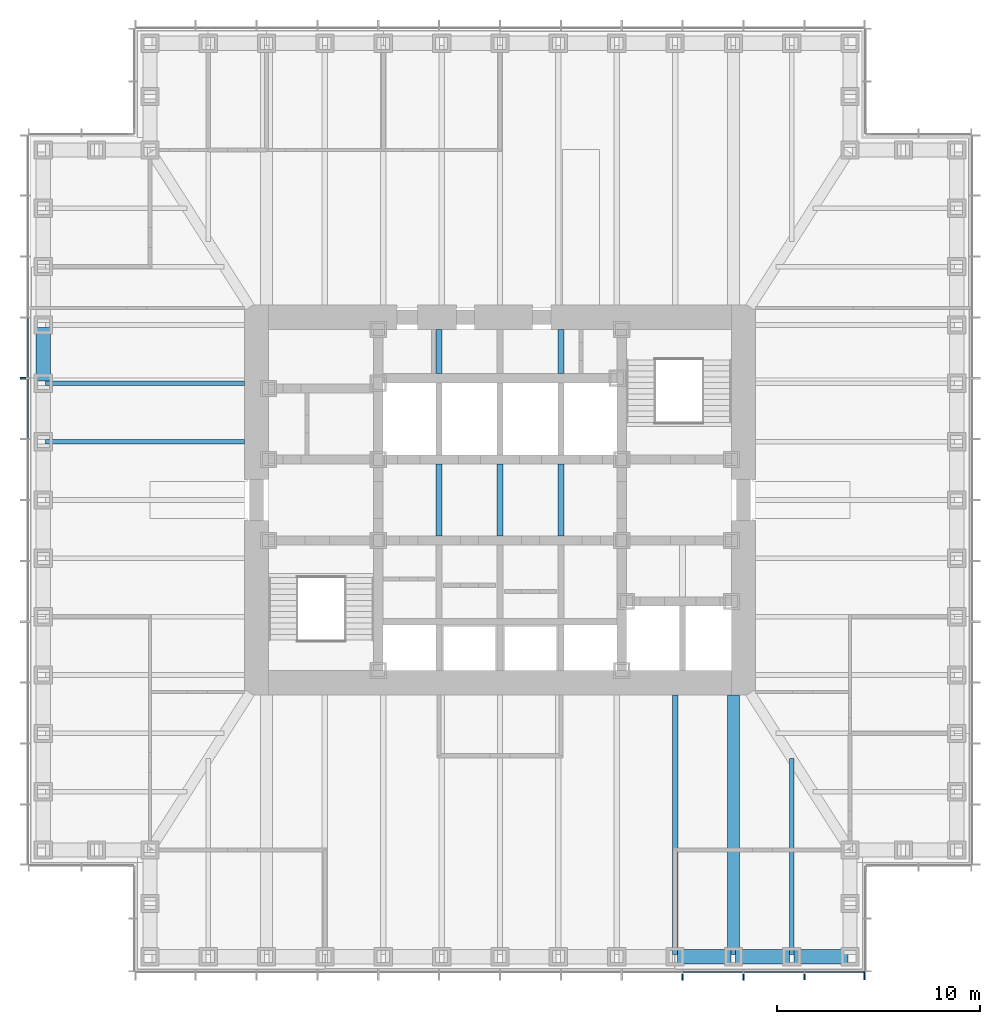
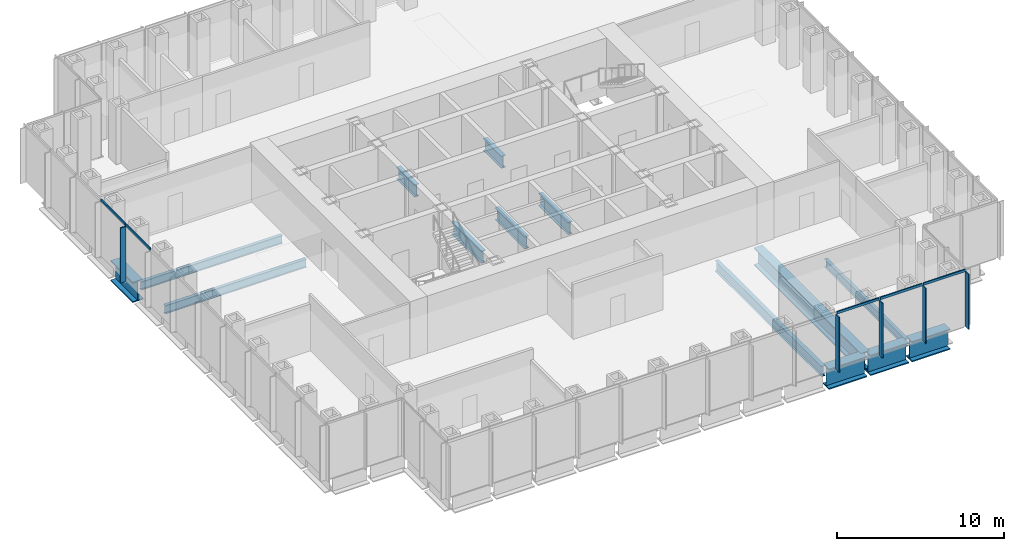
# One storey, part 3 of 16: 14 beams, 10 members, 2 elements without a shape of their own.
"""IFC4 building model written with IfcOpenShell, lengths in metres."""

from ifc_helpers import new_model, si_unit, direction, frame, origin, origin_2d, place, context, subcontext, project, spatial, rectangle, i_section, extrude, material, material_profile, profile_set, type_object, element, aggregate, save


model = new_model("IFC4")

# Units and contexts
model_context = context("Model", 3, precision=1e-05, world=origin(), true_north=direction((0.0, 1.0)))
body_context = subcontext(model_context, "Body", "Model", "MODEL_VIEW")
ifc_project = project(units=[si_unit("LENGTHUNIT", "METRE"), si_unit("AREAUNIT", "SQUARE_METRE"), si_unit("VOLUMEUNIT", "CUBIC_METRE"), si_unit("PLANEANGLEUNIT", "RADIAN"), si_unit("MASSUNIT", "GRAM", prefix="KILO")], contexts=[model_context])

# Site, building, storey
site_placement = place(None, origin())
site = spatial("IfcSite", under=ifc_project, at=site_placement, CompositionType="ELEMENT")
building_placement = place(site_placement, origin())
building = spatial("IfcBuilding", under=site, at=building_placement, Name="Daluyong Arena Tower", CompositionType="ELEMENT")
storey_placement = place(building_placement, frame((0.0, 0.0, 133.300048828125)))
storey = spatial("IfcBuildingStorey", under=building, at=storey_placement, Name="L29", CompositionType="ELEMENT", Elevation=133.300048828125)

# Curtain wall, members
ifc_material_1 = material(Name="Bronze anodised aluminium and glass", Category="aluminium")
curtain_wall_type = type_object("IfcCurtainWallType", Name="Curtain wall CW2", PredefinedType="USERDEFINED", material=ifc_material_1)
curtain_wall_1_placement = place(storey_placement, origin())
curtain_wall_1 = element("IfcCurtainWall", 1, at=curtain_wall_1_placement, inside=storey, type_object=curtain_wall_type, Name="curtain wall L29 S", ObjectType="UNITISED CURTAIN WALL", PredefinedType="USERDEFINED")
ifc_material_2 = material(Name="Bronze anodised aluminium fin", Category="aluminium")
ifc_material_profile_1 = material_profile(ifc_material_2, rectangle(XDim=0.39990234375, YDim=0.080078125, at=origin_2d()))
ifc_profile_set_1 = profile_set([ifc_material_profile_1], Name="Bronze anodised aluminium fin")
member_type_1 = type_object("IfcMemberType", Name="CW2 bronze fin 400x80", PredefinedType="MULLION", material=ifc_profile_set_1)
member_1_placement = place(storey_placement, frame((65.0, 56.550048828125, 0.0), z_axis=(0.0, 0.0, 1.0), x_axis=(0.0, 1.0, 0.0)))
member_1 = element("IfcMember", 2, at=member_1_placement, type_object=member_type_1, Name="curtain wall L29 S fin 10", PredefinedType="MULLION", context=body_context, shape_type="SweptSolid", body=[
    extrude(rectangle(XDim=0.39990234375, YDim=0.080078125, at=origin_2d()), origin(), (0.0, 0.0, 1.0), 4.02001953125),
])
member_2_placement = place(storey_placement, frame((68.0, 56.550048828125, 0.0), z_axis=(0.0, 0.0, 1.0), x_axis=(0.0, 1.0, 0.0)))
member_2 = element("IfcMember", 3, at=member_2_placement, type_object=member_type_1, Name="curtain wall L29 S fin 11", PredefinedType="MULLION", context=body_context, shape_type="SweptSolid", body=[
    extrude(rectangle(XDim=0.39990234375, YDim=0.080078125, at=origin_2d()), origin(), (0.0, 0.0, 1.0), 4.02001953125),
])
member_3_placement = place(storey_placement, frame((71.0, 56.550048828125, 0.0), z_axis=(0.0, 0.0, 1.0), x_axis=(0.0, 1.0, 0.0)))
member_3 = element("IfcMember", 4, at=member_3_placement, type_object=member_type_1, Name="curtain wall L29 S fin 12", PredefinedType="MULLION", context=body_context, shape_type="SweptSolid", body=[
    extrude(rectangle(XDim=0.39990234375, YDim=0.080078125, at=origin_2d()), origin(), (0.0, 0.0, 1.0), 4.02001953125),
])
member_4_placement = place(storey_placement, frame((73.9599609375, 56.550048828125, 0.0), z_axis=(0.0, 0.0, 1.0), x_axis=(0.0, 1.0, 0.0)))
member_4 = element("IfcMember", 5, at=member_4_placement, type_object=member_type_1, Name="curtain wall L29 S fin 13", PredefinedType="MULLION", context=body_context, shape_type="SweptSolid", body=[
    extrude(rectangle(XDim=0.39990234375, YDim=0.080078125, at=origin_2d()), origin(), (0.0, 0.0, 1.0), 4.02001953125),
])

# Curtain wall, member
curtain_wall_2_placement = place(storey_placement, origin())
curtain_wall_2 = element("IfcCurtainWall", 6, at=curtain_wall_2_placement, inside=storey, type_object=curtain_wall_type, Name="curtain wall L29 W", ObjectType="UNITISED CURTAIN WALL", PredefinedType="USERDEFINED")
member_5_placement = place(storey_placement, frame((32.550048828125, 86.0, 0.0), z_axis=(0.0, 0.0, 1.0), x_axis=(1.0, 0.0, 0.0)))
member_5 = element("IfcMember", 7, at=member_5_placement, type_object=member_type_1, Name="curtain wall L29 W fin 5", PredefinedType="MULLION", context=body_context, shape_type="SweptSolid", body=[
    extrude(rectangle(XDim=0.39990234375, YDim=0.080078125, at=origin_2d()), origin(), (0.0, 0.0, 1.0), 4.02001953125),
])

# Member
ifc_material_3 = material(Name="Bronze anodised aluminium", Category="aluminium")
ifc_material_profile_2 = material_profile(ifc_material_3, rectangle(XDim=0.080078125, YDim=0.179931640625, at=origin_2d()))
ifc_profile_set_2 = profile_set([ifc_material_profile_2], Name="Bronze anodised aluminium")
member_type_2 = type_object("IfcMemberType", Name="CW2 stack transom 180x80", PredefinedType="USERDEFINED", material=ifc_profile_set_2)
member_6_placement = place(storey_placement, frame((65.0400390625, 56.75, 4.10986328125), z_axis=(1.0, 0.0, 0.0), x_axis=(0.0, 1.0, 0.0)))
member_6 = element("IfcMember", 8, at=member_6_placement, type_object=member_type_2, Name="curtain wall L29 S transom 10", ObjectType="TRANSOM", PredefinedType="USERDEFINED", context=body_context, shape_type="SweptSolid", body=[
    extrude(rectangle(XDim=0.080078125, YDim=0.179931640625, at=origin_2d()), origin(), (0.0, 0.0, 1.0), 2.919921875),
])

member_7_placement = place(storey_placement, frame((68.0400390625, 56.75, 4.10986328125), z_axis=(1.0, 0.0, 0.0), x_axis=(0.0, 1.0, 0.0)))
member_7 = element("IfcMember", 9, at=member_7_placement, type_object=member_type_2, Name="curtain wall L29 S transom 11", ObjectType="TRANSOM", PredefinedType="USERDEFINED", context=body_context, shape_type="SweptSolid", body=[
    extrude(rectangle(XDim=0.080078125, YDim=0.179931640625, at=origin_2d()), origin(), (0.0, 0.0, 1.0), 2.919921875),
])

member_8_placement = place(storey_placement, frame((71.0400390625, 56.75, 4.10986328125), z_axis=(1.0, 0.0, 0.0), x_axis=(0.0, 1.0, 0.0)))
member_8 = element("IfcMember", 10, at=member_8_placement, type_object=member_type_2, Name="curtain wall L29 S transom 12", ObjectType="TRANSOM", PredefinedType="USERDEFINED", context=body_context, shape_type="SweptSolid", body=[
    extrude(rectangle(XDim=0.080078125, YDim=0.179931640625, at=origin_2d()), origin(), (0.0, 0.0, 1.0), 2.8798828125),
])

aggregate(curtain_wall_1, [member_1, member_2, member_3, member_4, member_6, member_7, member_8])

member_9_placement = place(storey_placement, frame((32.75, 88.9599609375, 4.10986328125), z_axis=(0.0, -1.0, 0.0), x_axis=(1.0, 0.0, 0.0)))
member_9 = element("IfcMember", 11, at=member_9_placement, type_object=member_type_2, Name="curtain wall L29 W transom 4", ObjectType="TRANSOM", PredefinedType="USERDEFINED", context=body_context, shape_type="SweptSolid", body=[
    extrude(rectangle(XDim=0.080078125, YDim=0.179931640625, at=origin_2d()), origin(), (0.0, 0.0, 1.0), 2.919921875),
])

member_10_placement = place(storey_placement, frame((32.75, 85.9599609375, 4.10986328125), z_axis=(0.0, -1.0, 0.0), x_axis=(1.0, 0.0, 0.0)))
member_10 = element("IfcMember", 12, at=member_10_placement, type_object=member_type_2, Name="curtain wall L29 W transom 5", ObjectType="TRANSOM", PredefinedType="USERDEFINED", context=body_context, shape_type="SweptSolid", body=[
    extrude(rectangle(XDim=0.080078125, YDim=0.179931640625, at=origin_2d()), origin(), (0.0, 0.0, 1.0), 2.919921875),
])

aggregate(curtain_wall_2, [member_5, member_9, member_10])

# Beams
ifc_material_4 = material(Name="Steel ASTM A572 Grade 50", Category="steel")
ifc_material_profile_3 = material_profile(ifc_material_4, i_section(OverallWidth=0.60009765625, OverallDepth=1.300048828125, WebThickness=0.035, FlangeThickness=0.07, at=origin_2d()))
ifc_profile_set_3 = profile_set([ifc_material_profile_3], Name="Steel ASTM A572 Grade 50")
beam_type_1 = type_object("IfcBeamType", Name="Floor beam TB1300X600", PredefinedType="BEAM", material=ifc_profile_set_3)
beam_1_placement = place(storey_placement, frame((67.5, 57.614990234375, -0.81005859375), z_axis=(0.0, 1.0, 0.0), x_axis=(-1.0, 0.0, 0.0)))
element("IfcBeam", 13, at=beam_1_placement, inside=storey, type_object=beam_type_1, Name="floor beam FB7", PredefinedType="BEAM", context=body_context, shape_type="SweptSolid", body=[
    extrude(i_section(OverallWidth=0.60009765625, OverallDepth=1.300048828125, WebThickness=0.035, FlangeThickness=0.07, at=origin_2d()), origin(), (0.0, 0.0, 1.0), 12.784912109375),
])
ifc_material_5 = material(Name="Steel ASTM A992 Grade 50", Category="steel")
ifc_material_profile_4 = material_profile(ifc_material_5, i_section(OverallWidth=0.22900390625, OverallDepth=0.612060546875, WebThickness=0.011962890625, FlangeThickness=0.01953125, at=origin_2d()))
ifc_profile_set_4 = profile_set([ifc_material_profile_4], Name="Steel ASTM A992 Grade 50")
beam_type_2 = type_object("IfcBeamType", Name="Floor beam W24X84", PredefinedType="BEAM", material=ifc_profile_set_4)
beam_2_placement = place(storey_placement, frame((70.375, 57.614990234375, -0.466064453125), z_axis=(0.0, 1.0, 0.0), x_axis=(-1.0, 0.0, 0.0)))
element("IfcBeam", 14, at=beam_2_placement, inside=storey, type_object=beam_type_2, Name="floor beam FB3", PredefinedType="BEAM", context=body_context, shape_type="SweptSolid", body=[
    extrude(i_section(OverallWidth=0.22900390625, OverallDepth=0.612060546875, WebThickness=0.011962890625, FlangeThickness=0.01953125, at=origin_2d()), origin(), (0.0, 0.0, 1.0), 9.65283203125),
])
for number, where, z_axis, x_axis, name in (
    (15, (33.614990234375, 85.75, -0.466064453125), (1.0, 0.0, 0.0), (0.0, 1.0, 0.0), "floor beam FB3"),
    (16, (33.614990234375, 82.875, -0.466064453125), (1.0, 0.0, 0.0), (0.0, 1.0, 0.0), "floor beam FB3"),
):
    element("IfcBeam", number, at=place(storey_placement, frame(where, z_axis=z_axis, x_axis=x_axis)), inside=storey, type_object=beam_type_2, Name=name, PredefinedType="BEAM", context=body_context, shape_type="SweptSolid", body=[
        extrude(i_section(OverallWidth=0.22900390625, OverallDepth=0.612060546875, WebThickness=0.011962890625, FlangeThickness=0.01953125, at=origin_2d()), origin(), (0.0, 0.0, 1.0), 9.784912109375),
    ])
ifc_material_6 = material(Name="Steel ASTM A992 Grade 50", Category="steel")
ifc_material_profile_5 = material_profile(ifc_material_6, i_section(OverallWidth=0.2666015625, OverallDepth=0.761962890625, WebThickness=0.014404296875, FlangeThickness=0.021484375, at=origin_2d()))
ifc_profile_set_5 = profile_set([ifc_material_profile_5], Name="Steel ASTM A992 Grade 50")
beam_type_3 = type_object("IfcBeamType", Name="Floor beam W30X116", PredefinedType="BEAM", material=ifc_profile_set_5)
beam_3_placement = place(storey_placement, frame((64.625, 57.614990234375, -0.541015625), z_axis=(0.0, 1.0, 0.0), x_axis=(-1.0, 0.0, 0.0)))
element("IfcBeam", 17, at=beam_3_placement, inside=storey, type_object=beam_type_3, Name="floor beam FB4", PredefinedType="BEAM", context=body_context, shape_type="SweptSolid", body=[
    extrude(i_section(OverallWidth=0.2666015625, OverallDepth=0.761962890625, WebThickness=0.014404296875, FlangeThickness=0.021484375, at=origin_2d()), origin(), (0.0, 0.0, 1.0), 12.784912109375),
])
ifc_material_7 = material(Name="Steel ASTM A572 Grade 50", Category="steel")
ifc_material_profile_6 = material_profile(ifc_material_7, i_section(OverallWidth=0.300048828125, OverallDepth=0.89990234375, WebThickness=0.025, FlangeThickness=0.04, at=origin_2d()))
ifc_profile_set_6 = profile_set([ifc_material_profile_6], Name="Steel ASTM A572 Grade 50")
beam_type_4 = type_object("IfcBeamType", Name="Lift divider beam PG900X300", PredefinedType="BEAM", material=ifc_profile_set_6)
beam_4_placement = place(storey_placement, frame((53.0, 78.22509765625, -0.610107421875), z_axis=(0.0, 1.0, 0.0), x_axis=(-1.0, 0.0, 0.0)))
element("IfcBeam", 18, at=beam_4_placement, inside=storey, type_object=beam_type_4, Name="lift divider beam DB1", PredefinedType="BEAM", context=body_context, shape_type="SweptSolid", body=[
    extrude(i_section(OverallWidth=0.300048828125, OverallDepth=0.89990234375, WebThickness=0.025, FlangeThickness=0.04, at=origin_2d()), origin(), (0.0, 0.0, 1.0), 3.5498046875),
])
beam_5_placement = place(storey_placement, frame((53.0, 86.22509765625, -0.610107421875), z_axis=(0.0, 1.0, 0.0), x_axis=(-1.0, 0.0, 0.0)))
element("IfcBeam", 19, at=beam_5_placement, inside=storey, type_object=beam_type_4, Name="lift divider beam DB1", PredefinedType="BEAM", context=body_context, shape_type="SweptSolid", body=[
    extrude(i_section(OverallWidth=0.300048828125, OverallDepth=0.89990234375, WebThickness=0.025, FlangeThickness=0.04, at=origin_2d()), origin(), (0.0, 0.0, 1.0), 2.1748046875),
])
for number, where, z_axis, x_axis, name in (
    (20, (56.0, 78.22509765625, -0.610107421875), (0.0, 1.0, 0.0), (-1.0, 0.0, 0.0), "lift divider beam DB1"),
    (21, (59.0, 78.22509765625, -0.610107421875), (0.0, 1.0, 0.0), (-1.0, 0.0, 0.0), "lift divider beam DB1"),
):
    element("IfcBeam", number, at=place(storey_placement, frame(where, z_axis=z_axis, x_axis=x_axis)), inside=storey, type_object=beam_type_4, Name=name, PredefinedType="BEAM", context=body_context, shape_type="SweptSolid", body=[
        extrude(i_section(OverallWidth=0.300048828125, OverallDepth=0.89990234375, WebThickness=0.025, FlangeThickness=0.04, at=origin_2d()), origin(), (0.0, 0.0, 1.0), 3.5498046875),
    ])
beam_6_placement = place(storey_placement, frame((59.0, 86.22509765625, -0.610107421875), z_axis=(0.0, 1.0, 0.0), x_axis=(-1.0, 0.0, 0.0)))
element("IfcBeam", 22, at=beam_6_placement, inside=storey, type_object=beam_type_4, Name="lift divider beam DB1", PredefinedType="BEAM", context=body_context, shape_type="SweptSolid", body=[
    extrude(i_section(OverallWidth=0.300048828125, OverallDepth=0.89990234375, WebThickness=0.025, FlangeThickness=0.04, at=origin_2d()), origin(), (0.0, 0.0, 1.0), 2.1748046875),
])
ifc_material_8 = material(Name="Steel ASTM A572 Grade 50", Category="steel")
ifc_material_profile_7 = material_profile(ifc_material_8, i_section(OverallWidth=0.699951171875, OverallDepth=1.5, WebThickness=0.04, FlangeThickness=0.08, at=origin_2d()))
ifc_profile_set_7 = profile_set([ifc_material_profile_7], Name="Steel ASTM A572 Grade 50")
beam_type_5 = type_object("IfcBeamType", Name="Spandrel Z2 PG1500X700", PredefinedType="SPANDREL", material=ifc_profile_set_7)
for number, where, z_axis, x_axis, name in (
    (23, (64.739990234375, 57.5, -0.91015625), (1.0, 0.0, 0.0), (0.0, 1.0, 0.0), "spandrel z2 SB6"),
    (24, (67.614990234375, 57.5, -0.91015625), (1.0, 0.0, 0.0), (0.0, 1.0, 0.0), "spandrel z2 SB6"),
    (25, (70.489990234375, 57.5, -0.91015625), (1.0, 0.0, 0.0), (0.0, 1.0, 0.0), "spandrel z2 SB6"),
    (26, (33.5, 88.510009765625, -0.91015625), (0.0, -1.0, 0.0), (1.0, 0.0, 0.0), "spandrel z2 SB6"),
):
    element("IfcBeam", number, at=place(storey_placement, frame(where, z_axis=z_axis, x_axis=x_axis)), inside=storey, type_object=beam_type_5, Name=name, PredefinedType="SPANDREL", context=body_context, shape_type="SweptSolid", body=[
        extrude(i_section(OverallWidth=0.699951171875, OverallDepth=1.5, WebThickness=0.04, FlangeThickness=0.08, at=origin_2d()), origin(), (0.0, 0.0, 1.0), 2.64501953125),
    ])

save(model, "model.ifc")
